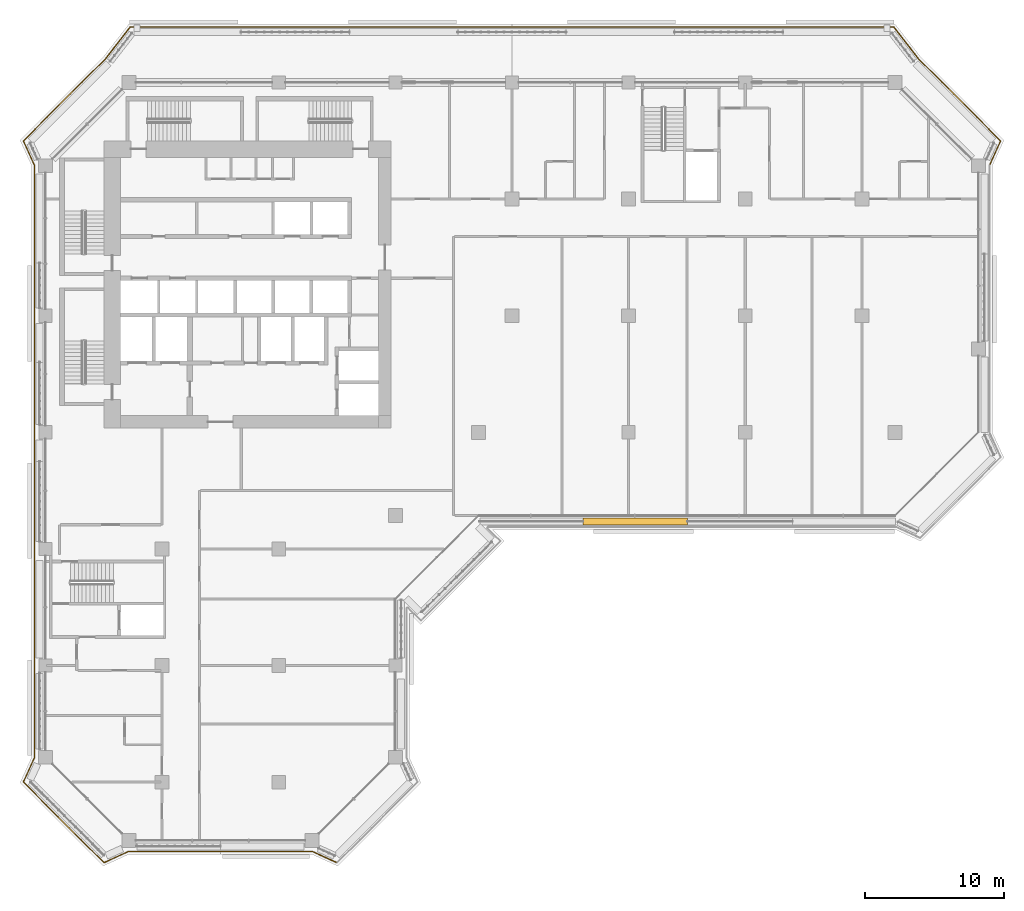
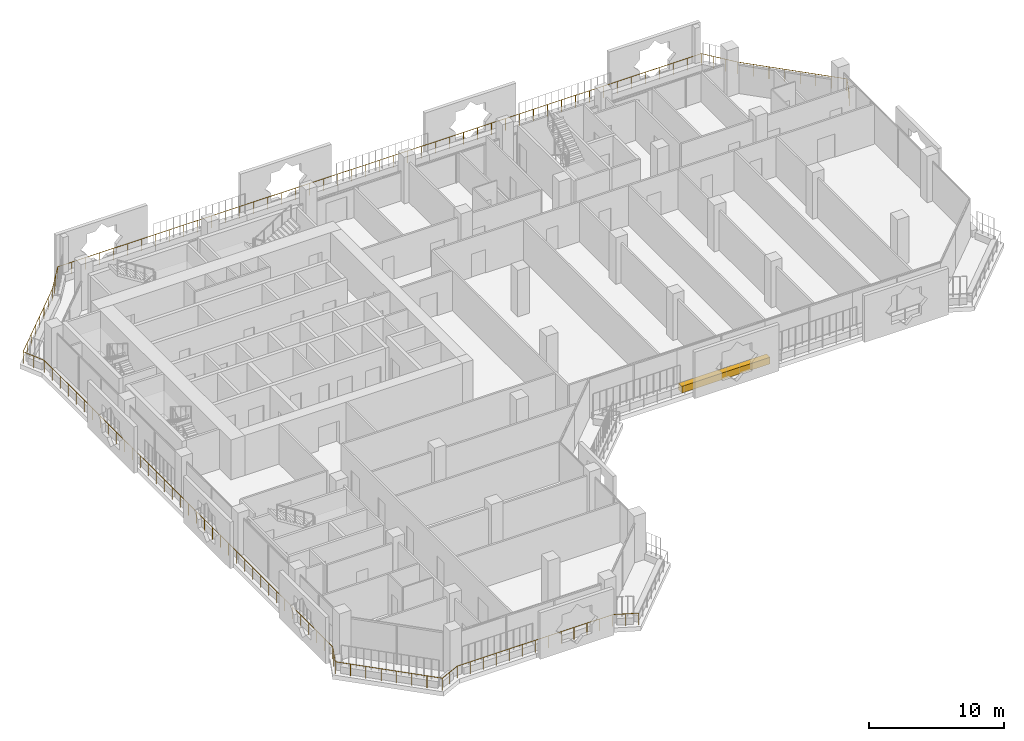
# One storey, part 17 of 21: 1 covering, 1 railing.
"""IFC4 building model written with IfcOpenShell, lengths in metres."""

from ifc_helpers import new_model, si_unit, direction, frame, origin, origin_2d, place, context, subcontext, project, spatial, rectangle, circle, extrude, material, material_profile, profile_set, type_object, element, save


model = new_model("IFC4")

# Units and contexts
model_context = context("Model", 3, precision=1e-05, world=origin(), true_north=direction((0.0, 1.0)))
body_context = subcontext(model_context, "Body", "Model", "MODEL_VIEW")
ifc_project = project(units=[si_unit("LENGTHUNIT", "METRE"), si_unit("AREAUNIT", "SQUARE_METRE"), si_unit("VOLUMEUNIT", "CUBIC_METRE"), si_unit("PLANEANGLEUNIT", "RADIAN"), si_unit("MASSUNIT", "GRAM", prefix="KILO")], contexts=[model_context])

# Site, building, storey
site_placement = place(None, origin())
site = spatial("IfcSite", under=ifc_project, at=site_placement, CompositionType="ELEMENT")
building_placement = place(site_placement, origin())
building = spatial("IfcBuilding", under=site, at=building_placement, Name="Kawkab Arch Medical Tower", CompositionType="ELEMENT")
storey_placement = place(building_placement, frame((0.0, 0.0, 200.39990234375)))
storey = spatial("IfcBuildingStorey", under=building, at=storey_placement, Name="L46", CompositionType="ELEMENT", Elevation=200.39990234375)

# Railing
ifc_material_1 = material(Name="Bronze anodised aluminium guard", Category="aluminium")
railing_type = type_object("IfcRailingType", Name="Loggia and terrace guard 1100", PredefinedType="GUARDRAIL", material=ifc_material_1)
railing_placement = place(storey_placement, frame((20.9951171875, -56.197998046875, 0.0)))
element("IfcRailing", 1, at=railing_placement, inside=storey, type_object=railing_type, Name="Guard L46.LOG-01.1.1", PredefinedType="GUARDRAIL", context=body_context, shape_type="SweptSolid", body=[
    extrude(circle(Radius=0.02392578125, at=origin_2d()), frame((0.0, 0.0, 1.076171875), z_axis=(-0.910044860056, 0.414509773934, 0.0), x_axis=(-0.414509773934, -0.910044860056, 0.0)), (0.0, 0.0, 1.0), 1.92529296875),
    extrude(circle(Radius=0.02392578125, at=origin_2d()), frame((-1.752197265625, 0.798095703125, 1.076171875), z_axis=(-1.0, 0.0, 0.0), x_axis=(0.0, -1.0, 0.0)), (0.0, 0.0, 1.0), 13.285888671875),
    extrude(circle(Radius=0.02392578125, at=origin_2d()), frame((-15.0380859375, 0.798095703125, 1.076171875), z_axis=(-0.910023069687, -0.414557610759, 0.0), x_axis=(0.414557610759, -0.910023069687, 0.0)), (0.0, 0.0, 1.0), 1.92529296875),
    extrude(circle(Radius=0.02392578125, at=origin_2d()), frame((-16.7900390625, 0.0, 1.076171875), z_axis=(-0.707106781187, 0.707106781187, 0.0), x_axis=(-0.707106781187, -0.707106781187, 0.0)), (0.0, 0.0, 1.0), 8.20654296875),
    extrude(circle(Radius=0.02392578125, at=origin_2d()), frame((-22.593017578125, 5.802978515625, 1.076171875), z_axis=(0.414452581809, 0.910070907914, 0.0), x_axis=(-0.910070907914, 0.414452581809, 0.0)), (0.0, 0.0, 1.0), 1.925048828125),
    extrude(circle(Radius=0.02392578125, at=origin_2d()), frame((-21.795166015625, 7.554931640625, 1.076171875), z_axis=(0.0, 1.0, 0.0), x_axis=(-1.0, 0.0, 0.0)), (0.0, 0.0, 1.0), 42.68603515625),
    extrude(circle(Radius=0.02392578125, at=origin_2d()), frame((-21.795166015625, 50.240966796875, 1.076171875), z_axis=(-0.414452581809, 0.910070907914, 0.0), x_axis=(-0.910070907914, -0.414452581809, 0.0)), (0.0, 0.0, 1.0), 1.925048828125),
    extrude(circle(Radius=0.02392578125, at=origin_2d()), frame((-22.593017578125, 51.992919921875, 1.076171875), z_axis=(0.707092175918, 0.707121386154, 0.0), x_axis=(-0.707121386154, 0.707092175918, 0.0)), (0.0, 0.0, 1.0), 8.358154296875),
    extrude(circle(Radius=0.02392578125, at=origin_2d()), frame((-16.68310546875, 57.903076171875, 1.076171875), z_axis=(0.614144026922, 0.789193964876, 0.0), x_axis=(-0.789193964876, 0.614144026922, 0.0)), (0.0, 0.0, 1.0), 2.907958984375),
    extrude(circle(Radius=0.02392578125, at=origin_2d()), frame((-14.897216796875, 60.197998046875, 1.076171875), z_axis=(1.0, 0.0, 0.0), x_axis=(0.0, 1.0, 0.0)), (0.0, 0.0, 1.0), 55.004150390625),
    extrude(circle(Radius=0.02392578125, at=origin_2d()), frame((40.10693359375, 60.197998046875, 1.076171875), z_axis=(0.614144026922, -0.789193964876, 0.0), x_axis=(0.789193964876, 0.614144026922, 0.0)), (0.0, 0.0, 1.0), 2.907958984375),
    extrude(circle(Radius=0.02392578125, at=origin_2d()), frame((41.892822265625, 57.903076171875, 1.076171875), z_axis=(0.707106781187, -0.707106781187, 0.0), x_axis=(0.707106781187, 0.707106781187, 0.0)), (0.0, 0.0, 1.0), 8.358154296875),
    extrude(circle(Radius=0.02392578125, at=origin_2d()), frame((47.802978515625, 51.992919921875, 1.076171875), z_axis=(-0.414557610759, -0.910023069687, 0.0), x_axis=(0.910023069687, -0.414557610759, 0.0)), (0.0, 0.0, 1.0), 1.92529296875),
    extrude(circle(Radius=0.02099609375, at=origin_2d()), origin(), (0.0, 0.0, 1.0), 1.052001953125),
    extrude(circle(Radius=0.02099609375, at=origin_2d()), frame((-0.8759765625, 0.39892578125, 0.0)), (0.0, 0.0, 1.0), 1.052001953125),
    extrude(circle(Radius=0.02099609375, at=origin_2d()), frame((-1.752197265625, 0.798095703125, 0.0)), (0.0, 0.0, 1.0), 1.052001953125),
    extrude(circle(Radius=0.02099609375, at=origin_2d()), frame((-2.859375, 0.798095703125, 0.0)), (0.0, 0.0, 1.0), 1.052001953125),
    extrude(circle(Radius=0.02099609375, at=origin_2d()), frame((-3.966552734375, 0.798095703125, 0.0)), (0.0, 0.0, 1.0), 1.052001953125),
    extrude(circle(Radius=0.02099609375, at=origin_2d()), frame((-5.07373046875, 0.798095703125, 0.0)), (0.0, 0.0, 1.0), 1.052001953125),
    extrude(circle(Radius=0.02099609375, at=origin_2d()), frame((-6.180908203125, 0.798095703125, 0.0)), (0.0, 0.0, 1.0), 1.052001953125),
    extrude(circle(Radius=0.02099609375, at=origin_2d()), frame((-7.2880859375, 0.798095703125, 0.0)), (0.0, 0.0, 1.0), 1.052001953125),
    extrude(circle(Radius=0.02099609375, at=origin_2d()), frame((-8.39501953125, 0.798095703125, 0.0)), (0.0, 0.0, 1.0), 1.052001953125),
    extrude(circle(Radius=0.02099609375, at=origin_2d()), frame((-9.502197265625, 0.798095703125, 0.0)), (0.0, 0.0, 1.0), 1.052001953125),
    extrude(circle(Radius=0.02099609375, at=origin_2d()), frame((-10.609375, 0.798095703125, 0.0)), (0.0, 0.0, 1.0), 1.052001953125),
    extrude(circle(Radius=0.02099609375, at=origin_2d()), frame((-11.716552734375, 0.798095703125, 0.0)), (0.0, 0.0, 1.0), 1.052001953125),
    extrude(circle(Radius=0.02099609375, at=origin_2d()), frame((-12.82373046875, 0.798095703125, 0.0)), (0.0, 0.0, 1.0), 1.052001953125),
    extrude(circle(Radius=0.02099609375, at=origin_2d()), frame((-13.930908203125, 0.798095703125, 0.0)), (0.0, 0.0, 1.0), 1.052001953125),
    extrude(circle(Radius=0.02099609375, at=origin_2d()), frame((-15.0380859375, 0.798095703125, 0.0)), (0.0, 0.0, 1.0), 1.052001953125),
    extrude(circle(Radius=0.02099609375, at=origin_2d()), frame((-15.9140625, 0.39892578125, 0.0)), (0.0, 0.0, 1.0), 1.052001953125),
    extrude(circle(Radius=0.02099609375, at=origin_2d()), frame((-16.7900390625, 0.0, 0.0)), (0.0, 0.0, 1.0), 1.052001953125),
    extrude(circle(Radius=0.02099609375, at=origin_2d()), frame((-17.619140625, 0.8291015625, 0.0)), (0.0, 0.0, 1.0), 1.052001953125),
    extrude(circle(Radius=0.02099609375, at=origin_2d()), frame((-18.447998046875, 1.657958984375, 0.0)), (0.0, 0.0, 1.0), 1.052001953125),
    extrude(circle(Radius=0.02099609375, at=origin_2d()), frame((-19.277099609375, 2.487060546875, 0.0)), (0.0, 0.0, 1.0), 1.052001953125),
    extrude(circle(Radius=0.02099609375, at=origin_2d()), frame((-20.10595703125, 3.31591796875, 0.0)), (0.0, 0.0, 1.0), 1.052001953125),
    extrude(circle(Radius=0.02099609375, at=origin_2d()), frame((-20.93505859375, 4.14501953125, 0.0)), (0.0, 0.0, 1.0), 1.052001953125),
    extrude(circle(Radius=0.02099609375, at=origin_2d()), frame((-21.763916015625, 4.973876953125, 0.0)), (0.0, 0.0, 1.0), 1.052001953125),
    extrude(circle(Radius=0.02099609375, at=origin_2d()), frame((-22.593017578125, 5.802978515625, 0.0)), (0.0, 0.0, 1.0), 1.052001953125),
    extrude(circle(Radius=0.02099609375, at=origin_2d()), frame((-22.194091796875, 6.678955078125, 0.0)), (0.0, 0.0, 1.0), 1.052001953125),
    extrude(circle(Radius=0.02099609375, at=origin_2d()), frame((-21.795166015625, 7.554931640625, 0.0)), (0.0, 0.0, 1.0), 1.052001953125),
    extrude(circle(Radius=0.02099609375, at=origin_2d()), frame((-21.795166015625, 8.74072265625, 0.0)), (0.0, 0.0, 1.0), 1.052001953125),
    extrude(circle(Radius=0.02099609375, at=origin_2d()), frame((-21.795166015625, 9.92626953125, 0.0)), (0.0, 0.0, 1.0), 1.052001953125),
    extrude(circle(Radius=0.02099609375, at=origin_2d()), frame((-21.795166015625, 11.112060546875, 0.0)), (0.0, 0.0, 1.0), 1.052001953125),
    extrude(circle(Radius=0.02099609375, at=origin_2d()), frame((-21.795166015625, 12.2978515625, 0.0)), (0.0, 0.0, 1.0), 1.052001953125),
    extrude(circle(Radius=0.02099609375, at=origin_2d()), frame((-21.795166015625, 13.483642578125, 0.0)), (0.0, 0.0, 1.0), 1.052001953125),
    extrude(circle(Radius=0.02099609375, at=origin_2d()), frame((-21.795166015625, 14.669189453125, 0.0)), (0.0, 0.0, 1.0), 1.052001953125),
    extrude(circle(Radius=0.02099609375, at=origin_2d()), frame((-21.795166015625, 15.85498046875, 0.0)), (0.0, 0.0, 1.0), 1.052001953125),
    extrude(circle(Radius=0.02099609375, at=origin_2d()), frame((-21.795166015625, 17.040771484375, 0.0)), (0.0, 0.0, 1.0), 1.052001953125),
    extrude(circle(Radius=0.02099609375, at=origin_2d()), frame((-21.795166015625, 18.2265625, 0.0)), (0.0, 0.0, 1.0), 1.052001953125),
    extrude(circle(Radius=0.02099609375, at=origin_2d()), frame((-21.795166015625, 19.412109375, 0.0)), (0.0, 0.0, 1.0), 1.052001953125),
    extrude(circle(Radius=0.02099609375, at=origin_2d()), frame((-21.795166015625, 20.597900390625, 0.0)), (0.0, 0.0, 1.0), 1.052001953125),
    extrude(circle(Radius=0.02099609375, at=origin_2d()), frame((-21.795166015625, 21.78369140625, 0.0)), (0.0, 0.0, 1.0), 1.052001953125),
    extrude(circle(Radius=0.02099609375, at=origin_2d()), frame((-21.795166015625, 22.96923828125, 0.0)), (0.0, 0.0, 1.0), 1.052001953125),
    extrude(circle(Radius=0.02099609375, at=origin_2d()), frame((-21.795166015625, 24.155029296875, 0.0)), (0.0, 0.0, 1.0), 1.052001953125),
    extrude(circle(Radius=0.02099609375, at=origin_2d()), frame((-21.795166015625, 25.3408203125, 0.0)), (0.0, 0.0, 1.0), 1.052001953125),
    extrude(circle(Radius=0.02099609375, at=origin_2d()), frame((-21.795166015625, 26.526611328125, 0.0)), (0.0, 0.0, 1.0), 1.052001953125),
    extrude(circle(Radius=0.02099609375, at=origin_2d()), frame((-21.795166015625, 27.712158203125, 0.0)), (0.0, 0.0, 1.0), 1.052001953125),
    extrude(circle(Radius=0.02099609375, at=origin_2d()), frame((-21.795166015625, 28.89794921875, 0.0)), (0.0, 0.0, 1.0), 1.052001953125),
    extrude(circle(Radius=0.02099609375, at=origin_2d()), frame((-21.795166015625, 30.083740234375, 0.0)), (0.0, 0.0, 1.0), 1.052001953125),
    extrude(circle(Radius=0.02099609375, at=origin_2d()), frame((-21.795166015625, 31.269287109375, 0.0)), (0.0, 0.0, 1.0), 1.052001953125),
    extrude(circle(Radius=0.02099609375, at=origin_2d()), frame((-21.795166015625, 32.455078125, 0.0)), (0.0, 0.0, 1.0), 1.052001953125),
    extrude(circle(Radius=0.02099609375, at=origin_2d()), frame((-21.795166015625, 33.640869140625, 0.0)), (0.0, 0.0, 1.0), 1.052001953125),
    extrude(circle(Radius=0.02099609375, at=origin_2d()), frame((-21.795166015625, 34.82666015625, 0.0)), (0.0, 0.0, 1.0), 1.052001953125),
    extrude(circle(Radius=0.02099609375, at=origin_2d()), frame((-21.795166015625, 36.01220703125, 0.0)), (0.0, 0.0, 1.0), 1.052001953125),
    extrude(circle(Radius=0.02099609375, at=origin_2d()), frame((-21.795166015625, 37.197998046875, 0.0)), (0.0, 0.0, 1.0), 1.052001953125),
    extrude(circle(Radius=0.02099609375, at=origin_2d()), frame((-21.795166015625, 38.3837890625, 0.0)), (0.0, 0.0, 1.0), 1.052001953125),
    extrude(circle(Radius=0.02099609375, at=origin_2d()), frame((-21.795166015625, 39.5693359375, 0.0)), (0.0, 0.0, 1.0), 1.052001953125),
    extrude(circle(Radius=0.02099609375, at=origin_2d()), frame((-21.795166015625, 40.755126953125, 0.0)), (0.0, 0.0, 1.0), 1.052001953125),
    extrude(circle(Radius=0.02099609375, at=origin_2d()), frame((-21.795166015625, 41.94091796875, 0.0)), (0.0, 0.0, 1.0), 1.052001953125),
    extrude(circle(Radius=0.02099609375, at=origin_2d()), frame((-21.795166015625, 43.126708984375, 0.0)), (0.0, 0.0, 1.0), 1.052001953125),
    extrude(circle(Radius=0.02099609375, at=origin_2d()), frame((-21.795166015625, 44.312255859375, 0.0)), (0.0, 0.0, 1.0), 1.052001953125),
    extrude(circle(Radius=0.02099609375, at=origin_2d()), frame((-21.795166015625, 45.498046875, 0.0)), (0.0, 0.0, 1.0), 1.052001953125),
    extrude(circle(Radius=0.02099609375, at=origin_2d()), frame((-21.795166015625, 46.683837890625, 0.0)), (0.0, 0.0, 1.0), 1.052001953125),
    extrude(circle(Radius=0.02099609375, at=origin_2d()), frame((-21.795166015625, 47.86962890625, 0.0)), (0.0, 0.0, 1.0), 1.052001953125),
    extrude(circle(Radius=0.02099609375, at=origin_2d()), frame((-21.795166015625, 49.05517578125, 0.0)), (0.0, 0.0, 1.0), 1.052001953125),
    extrude(circle(Radius=0.02099609375, at=origin_2d()), frame((-21.795166015625, 50.240966796875, 0.0)), (0.0, 0.0, 1.0), 1.052001953125),
    extrude(circle(Radius=0.02099609375, at=origin_2d()), frame((-22.194091796875, 51.116943359375, 0.0)), (0.0, 0.0, 1.0), 1.052001953125),
    extrude(circle(Radius=0.02099609375, at=origin_2d()), frame((-22.593017578125, 51.992919921875, 0.0)), (0.0, 0.0, 1.0), 1.052001953125),
    extrude(circle(Radius=0.02099609375, at=origin_2d()), frame((-21.748779296875, 52.837158203125, 0.0)), (0.0, 0.0, 1.0), 1.052001953125),
    extrude(circle(Radius=0.02099609375, at=origin_2d()), frame((-20.904541015625, 53.681640625, 0.0)), (0.0, 0.0, 1.0), 1.052001953125),
    extrude(circle(Radius=0.02099609375, at=origin_2d()), frame((-20.060302734375, 54.52587890625, 0.0)), (0.0, 0.0, 1.0), 1.052001953125),
    extrude(circle(Radius=0.02099609375, at=origin_2d()), frame((-19.2158203125, 55.3701171875, 0.0)), (0.0, 0.0, 1.0), 1.052001953125),
    extrude(circle(Radius=0.02099609375, at=origin_2d()), frame((-18.37158203125, 56.21435546875, 0.0)), (0.0, 0.0, 1.0), 1.052001953125),
    extrude(circle(Radius=0.02099609375, at=origin_2d()), frame((-17.52734375, 57.058837890625, 0.0)), (0.0, 0.0, 1.0), 1.052001953125),
    extrude(circle(Radius=0.02099609375, at=origin_2d()), frame((-16.68310546875, 57.903076171875, 0.0)), (0.0, 0.0, 1.0), 1.052001953125),
    extrude(circle(Radius=0.02099609375, at=origin_2d()), frame((-16.087890625, 58.66796875, 0.0)), (0.0, 0.0, 1.0), 1.052001953125),
    extrude(circle(Radius=0.02099609375, at=origin_2d()), frame((-15.492431640625, 59.43310546875, 0.0)), (0.0, 0.0, 1.0), 1.052001953125),
    extrude(circle(Radius=0.02099609375, at=origin_2d()), frame((-14.897216796875, 60.197998046875, 0.0)), (0.0, 0.0, 1.0), 1.052001953125),
    extrude(circle(Radius=0.02099609375, at=origin_2d()), frame((-13.701416015625, 60.197998046875, 0.0)), (0.0, 0.0, 1.0), 1.052001953125),
    extrude(circle(Radius=0.02099609375, at=origin_2d()), frame((-12.505615234375, 60.197998046875, 0.0)), (0.0, 0.0, 1.0), 1.052001953125),
    extrude(circle(Radius=0.02099609375, at=origin_2d()), frame((-11.31005859375, 60.197998046875, 0.0)), (0.0, 0.0, 1.0), 1.052001953125),
    extrude(circle(Radius=0.02099609375, at=origin_2d()), frame((-10.1142578125, 60.197998046875, 0.0)), (0.0, 0.0, 1.0), 1.052001953125),
    extrude(circle(Radius=0.02099609375, at=origin_2d()), frame((-8.91845703125, 60.197998046875, 0.0)), (0.0, 0.0, 1.0), 1.052001953125),
    extrude(circle(Radius=0.02099609375, at=origin_2d()), frame((-7.72265625, 60.197998046875, 0.0)), (0.0, 0.0, 1.0), 1.052001953125),
    extrude(circle(Radius=0.02099609375, at=origin_2d()), frame((-6.527099609375, 60.197998046875, 0.0)), (0.0, 0.0, 1.0), 1.052001953125),
    extrude(circle(Radius=0.02099609375, at=origin_2d()), frame((-5.331298828125, 60.197998046875, 0.0)), (0.0, 0.0, 1.0), 1.052001953125),
    extrude(circle(Radius=0.02099609375, at=origin_2d()), frame((-4.135498046875, 60.197998046875, 0.0)), (0.0, 0.0, 1.0), 1.052001953125),
    extrude(circle(Radius=0.02099609375, at=origin_2d()), frame((-2.939697265625, 60.197998046875, 0.0)), (0.0, 0.0, 1.0), 1.052001953125),
    extrude(circle(Radius=0.02099609375, at=origin_2d()), frame((-1.744140625, 60.197998046875, 0.0)), (0.0, 0.0, 1.0), 1.052001953125),
    extrude(circle(Radius=0.02099609375, at=origin_2d()), frame((-0.54833984375, 60.197998046875, 0.0)), (0.0, 0.0, 1.0), 1.052001953125),
    extrude(circle(Radius=0.02099609375, at=origin_2d()), frame((0.6474609375, 60.197998046875, 0.0)), (0.0, 0.0, 1.0), 1.052001953125),
    extrude(circle(Radius=0.02099609375, at=origin_2d()), frame((1.84326171875, 60.197998046875, 0.0)), (0.0, 0.0, 1.0), 1.052001953125),
    extrude(circle(Radius=0.02099609375, at=origin_2d()), frame((3.038818359375, 60.197998046875, 0.0)), (0.0, 0.0, 1.0), 1.052001953125),
    extrude(circle(Radius=0.02099609375, at=origin_2d()), frame((4.234619140625, 60.197998046875, 0.0)), (0.0, 0.0, 1.0), 1.052001953125),
    extrude(circle(Radius=0.02099609375, at=origin_2d()), frame((5.430419921875, 60.197998046875, 0.0)), (0.0, 0.0, 1.0), 1.052001953125),
    extrude(circle(Radius=0.02099609375, at=origin_2d()), frame((6.626220703125, 60.197998046875, 0.0)), (0.0, 0.0, 1.0), 1.052001953125),
    extrude(circle(Radius=0.02099609375, at=origin_2d()), frame((7.82177734375, 60.197998046875, 0.0)), (0.0, 0.0, 1.0), 1.052001953125),
    extrude(circle(Radius=0.02099609375, at=origin_2d()), frame((9.017578125, 60.197998046875, 0.0)), (0.0, 0.0, 1.0), 1.052001953125),
    extrude(circle(Radius=0.02099609375, at=origin_2d()), frame((10.21337890625, 60.197998046875, 0.0)), (0.0, 0.0, 1.0), 1.052001953125),
    extrude(circle(Radius=0.02099609375, at=origin_2d()), frame((11.4091796875, 60.197998046875, 0.0)), (0.0, 0.0, 1.0), 1.052001953125),
    extrude(circle(Radius=0.02099609375, at=origin_2d()), frame((12.60498046875, 60.197998046875, 0.0)), (0.0, 0.0, 1.0), 1.052001953125),
    extrude(circle(Radius=0.02099609375, at=origin_2d()), frame((13.800537109375, 60.197998046875, 0.0)), (0.0, 0.0, 1.0), 1.052001953125),
    extrude(circle(Radius=0.02099609375, at=origin_2d()), frame((14.996337890625, 60.197998046875, 0.0)), (0.0, 0.0, 1.0), 1.052001953125),
    extrude(circle(Radius=0.02099609375, at=origin_2d()), frame((16.192138671875, 60.197998046875, 0.0)), (0.0, 0.0, 1.0), 1.052001953125),
    extrude(circle(Radius=0.02099609375, at=origin_2d()), frame((17.387939453125, 60.197998046875, 0.0)), (0.0, 0.0, 1.0), 1.052001953125),
    extrude(circle(Radius=0.02099609375, at=origin_2d()), frame((18.58349609375, 60.197998046875, 0.0)), (0.0, 0.0, 1.0), 1.052001953125),
    extrude(circle(Radius=0.02099609375, at=origin_2d()), frame((19.779296875, 60.197998046875, 0.0)), (0.0, 0.0, 1.0), 1.052001953125),
    extrude(circle(Radius=0.02099609375, at=origin_2d()), frame((20.97509765625, 60.197998046875, 0.0)), (0.0, 0.0, 1.0), 1.052001953125),
    extrude(circle(Radius=0.02099609375, at=origin_2d()), frame((22.1708984375, 60.197998046875, 0.0)), (0.0, 0.0, 1.0), 1.052001953125),
    extrude(circle(Radius=0.02099609375, at=origin_2d()), frame((23.366455078125, 60.197998046875, 0.0)), (0.0, 0.0, 1.0), 1.052001953125),
    extrude(circle(Radius=0.02099609375, at=origin_2d()), frame((24.562255859375, 60.197998046875, 0.0)), (0.0, 0.0, 1.0), 1.052001953125),
    extrude(circle(Radius=0.02099609375, at=origin_2d()), frame((25.758056640625, 60.197998046875, 0.0)), (0.0, 0.0, 1.0), 1.052001953125),
    extrude(circle(Radius=0.02099609375, at=origin_2d()), frame((26.953857421875, 60.197998046875, 0.0)), (0.0, 0.0, 1.0), 1.052001953125),
    extrude(circle(Radius=0.02099609375, at=origin_2d()), frame((28.1494140625, 60.197998046875, 0.0)), (0.0, 0.0, 1.0), 1.052001953125),
    extrude(circle(Radius=0.02099609375, at=origin_2d()), frame((29.34521484375, 60.197998046875, 0.0)), (0.0, 0.0, 1.0), 1.052001953125),
    extrude(circle(Radius=0.02099609375, at=origin_2d()), frame((30.541015625, 60.197998046875, 0.0)), (0.0, 0.0, 1.0), 1.052001953125),
    extrude(circle(Radius=0.02099609375, at=origin_2d()), frame((31.73681640625, 60.197998046875, 0.0)), (0.0, 0.0, 1.0), 1.052001953125),
    extrude(circle(Radius=0.02099609375, at=origin_2d()), frame((32.932373046875, 60.197998046875, 0.0)), (0.0, 0.0, 1.0), 1.052001953125),
    extrude(circle(Radius=0.02099609375, at=origin_2d()), frame((34.128173828125, 60.197998046875, 0.0)), (0.0, 0.0, 1.0), 1.052001953125),
    extrude(circle(Radius=0.02099609375, at=origin_2d()), frame((35.323974609375, 60.197998046875, 0.0)), (0.0, 0.0, 1.0), 1.052001953125),
    extrude(circle(Radius=0.02099609375, at=origin_2d()), frame((36.519775390625, 60.197998046875, 0.0)), (0.0, 0.0, 1.0), 1.052001953125),
    extrude(circle(Radius=0.02099609375, at=origin_2d()), frame((37.71533203125, 60.197998046875, 0.0)), (0.0, 0.0, 1.0), 1.052001953125),
    extrude(circle(Radius=0.02099609375, at=origin_2d()), frame((38.9111328125, 60.197998046875, 0.0)), (0.0, 0.0, 1.0), 1.052001953125),
    extrude(circle(Radius=0.02099609375, at=origin_2d()), frame((40.10693359375, 60.197998046875, 0.0)), (0.0, 0.0, 1.0), 1.052001953125),
    extrude(circle(Radius=0.02099609375, at=origin_2d()), frame((40.7021484375, 59.43310546875, 0.0)), (0.0, 0.0, 1.0), 1.052001953125),
    extrude(circle(Radius=0.02099609375, at=origin_2d()), frame((41.297607421875, 58.66796875, 0.0)), (0.0, 0.0, 1.0), 1.052001953125),
    extrude(circle(Radius=0.02099609375, at=origin_2d()), frame((41.892822265625, 57.903076171875, 0.0)), (0.0, 0.0, 1.0), 1.052001953125),
    extrude(circle(Radius=0.02099609375, at=origin_2d()), frame((42.737060546875, 57.058837890625, 0.0)), (0.0, 0.0, 1.0), 1.052001953125),
    extrude(circle(Radius=0.02099609375, at=origin_2d()), frame((43.58154296875, 56.21435546875, 0.0)), (0.0, 0.0, 1.0), 1.052001953125),
    extrude(circle(Radius=0.02099609375, at=origin_2d()), frame((44.42578125, 55.3701171875, 0.0)), (0.0, 0.0, 1.0), 1.052001953125),
    extrude(circle(Radius=0.02099609375, at=origin_2d()), frame((45.27001953125, 54.52587890625, 0.0)), (0.0, 0.0, 1.0), 1.052001953125),
    extrude(circle(Radius=0.02099609375, at=origin_2d()), frame((46.1142578125, 53.681640625, 0.0)), (0.0, 0.0, 1.0), 1.052001953125),
    extrude(circle(Radius=0.02099609375, at=origin_2d()), frame((46.958740234375, 52.837158203125, 0.0)), (0.0, 0.0, 1.0), 1.052001953125),
    extrude(circle(Radius=0.02099609375, at=origin_2d()), frame((47.802978515625, 51.992919921875, 0.0)), (0.0, 0.0, 1.0), 1.052001953125),
    extrude(circle(Radius=0.02099609375, at=origin_2d()), frame((47.40380859375, 51.116943359375, 0.0)), (0.0, 0.0, 1.0), 1.052001953125),
    extrude(circle(Radius=0.02099609375, at=origin_2d()), frame((47.0048828125, 50.240966796875, 0.0)), (0.0, 0.0, 1.0), 1.052001953125),
])

# Covering
ifc_material_2 = material(Name="Planting soil in a precast trough", Category="concrete")
ifc_material_profile = material_profile(ifc_material_2, rectangle(XDim=0.5, YDim=0.60009765625, at=origin_2d()), Name="Trough 500x600")
ifc_profile_set = profile_set([ifc_material_profile], Name="Planting soil in a precast trough")
covering_type = type_object("IfcCoveringType", Name="Planter trough 500 x 600", PredefinedType="USERDEFINED", material=ifc_profile_set)
covering_placement = place(storey_placement, frame((46.2548828125, -31.6201171875, 0.300048828125), z_axis=(-1.0, 0.0, 0.0), x_axis=(0.0, -1.0, 0.0)))
element("IfcCovering", 2, at=covering_placement, inside=storey, type_object=covering_type, Name="Planter L46.LOG-01-01.36", ObjectType="PLANTER", PredefinedType="USERDEFINED", context=body_context, shape_type="SweptSolid", body=[
    extrude(rectangle(XDim=0.5, YDim=0.60009765625, at=origin_2d()), origin(), (0.0, 0.0, 1.0), 7.534912109375),
])

save(model, "model.ifc")
